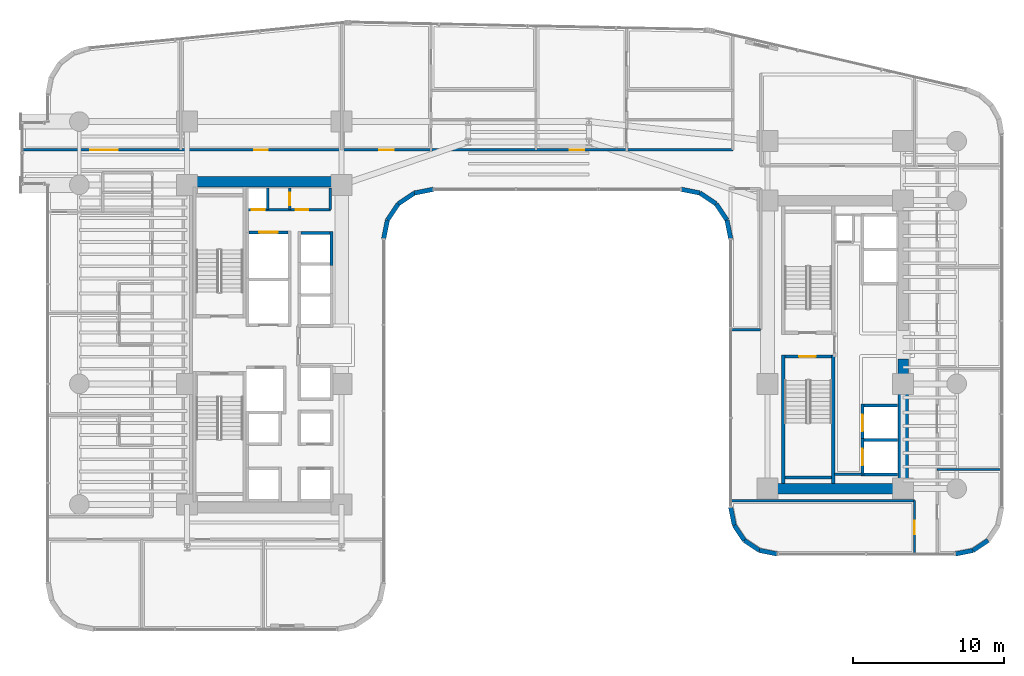
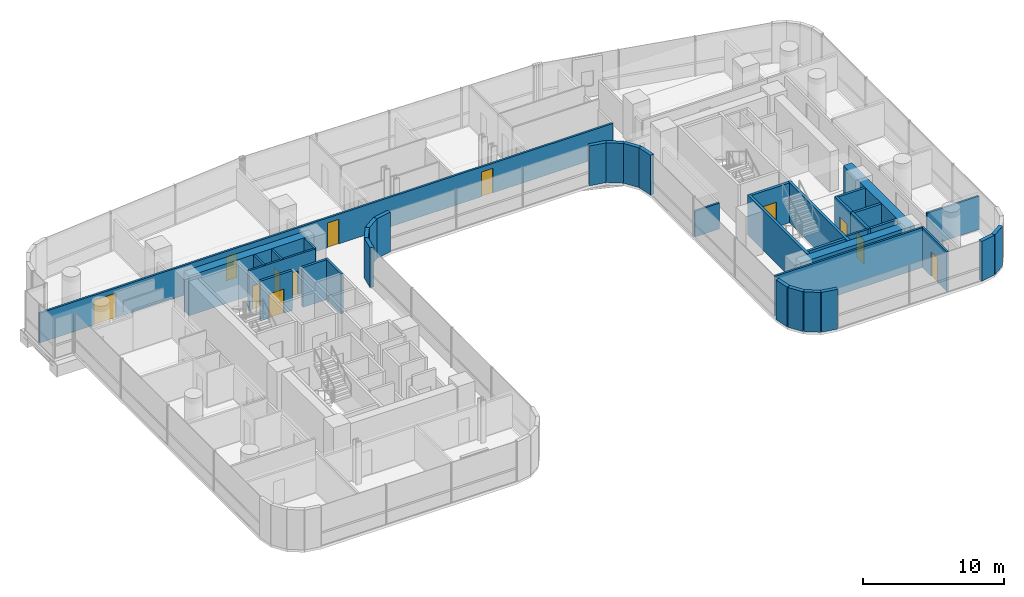
# One storey, part 33 of 41: 39 walls, 12 doors, 12 openings.
"""IFC4 building model written with IfcOpenShell, lengths in metres."""

from ifc_helpers import new_model, si_unit, direction, frame, frame_2d, origin, place, context, subcontext, project, spatial, rectangle, extrude, material, layer, layer_set, type_object, element, fill, save


model = new_model("IFC4")

# Units and contexts
model_context = context("Model", 3, precision=1e-05, world=origin(), true_north=direction((0.0, 1.0)))
body_context = subcontext(model_context, "Body", "Model", "MODEL_VIEW")
ifc_project = project(units=[si_unit("LENGTHUNIT", "METRE"), si_unit("AREAUNIT", "SQUARE_METRE"), si_unit("VOLUMEUNIT", "CUBIC_METRE"), si_unit("PLANEANGLEUNIT", "RADIAN"), si_unit("MASSUNIT", "GRAM", prefix="KILO")], contexts=[model_context])

# Site, building, storey
site_placement = place(None, origin())
site = spatial("IfcSite", under=ifc_project, at=site_placement, CompositionType="ELEMENT")
building_placement = place(site_placement, origin())
building = spatial("IfcBuilding", under=site, at=building_placement, Name="Valdorenza Pilgrim Sanctuary Tower", CompositionType="ELEMENT")
storey_placement = place(building_placement, frame((0.0, 0.0, 88.89990234375)))
storey = spatial("IfcBuildingStorey", under=building, at=storey_placement, Name="L22", CompositionType="ELEMENT", Elevation=88.89990234375)

# Wall, openings, doors
ifc_material_1 = material(Name="Acoustic twin-stud gypsum partition", Category="gypsum")
ifc_layer_1 = layer(ifc_material_1, 0.159912109375, Name="Acoustic twin-stud gypsum partition")
ifc_layer_set_1 = layer_set([ifc_layer_1], Name="Acoustic twin-stud gypsum partition")
wall_type_1 = type_object("IfcWallType", Name="WAL-COR-160", PredefinedType="PARTITIONING", material=ifc_layer_set_1)
wall_1_placement = place(storey_placement, frame((-18.64990234375, 8.949951171875, 0.0), z_axis=(0.0, 0.0, 1.0), x_axis=(1.0, 0.0, 0.0)))
wall_1 = element("IfcWall", 1, at=wall_1_placement, inside=storey, type_object=wall_type_1, Name="L22 Core A North Service South Wall", PredefinedType="PARTITIONING", context=body_context, shape_type="SweptSolid", body=[
    extrude(rectangle(XDim=5.5, YDim=0.159912109375, at=frame_2d((2.75, 0.0))), origin(), (0.0, 0.0, 1.0), 3.460205078125),
])
opening_1_placement = place(wall_1_placement, frame((0.300048828125, 0.0, 0.0)))
opening_1 = element("IfcOpeningElement", 2, at=opening_1_placement, cuts=wall_1, Name="Opening DR-RS1", PredefinedType="OPENING", context=body_context, shape_type="SweptSolid", body=[
    extrude(rectangle(XDim=0.85009765625, YDim=2.050048828125, at=frame_2d((0.425048828125, 1.02490234375))), frame((0.0, 0.0947265625, 0.0), z_axis=(0.0, -1.0, 0.0), x_axis=(1.0, 0.0, 0.0)), (0.0, 0.0, 1.0), 0.189697265625),
])
opening_2_placement = place(wall_1_placement, frame((3.199951171875, 0.0, 0.0)))
opening_2 = element("IfcOpeningElement", 3, at=opening_2_placement, cuts=wall_1, Name="Opening DR-RS1", PredefinedType="OPENING", context=body_context, shape_type="SweptSolid", body=[
    extrude(rectangle(XDim=0.85009765625, YDim=2.050048828125, at=frame_2d((0.425048828125, 1.02490234375))), frame((0.0, 0.0947265625, 0.0), z_axis=(0.0, -1.0, 0.0), x_axis=(1.0, 0.0, 0.0)), (0.0, 0.0, 1.0), 0.189697265625),
])
ifc_material_2 = material(Name="Painted galvanized steel", Category="steel")
door_type_1 = type_object("IfcDoorType", Name="DR-RSR-850", OperationType="NOTDEFINED", PredefinedType="DOOR", material=ifc_material_2)
door_1_placement = place(opening_1_placement, origin())
door_1 = element("IfcDoor", 4, at=door_1_placement, inside=storey, type_object=door_type_1, Name="L22 Core Electrical and Telecom Riser Door", OperationType="SINGLE_SWING_LEFT", OverallHeight=2.050048828125, OverallWidth=0.85009765625, PredefinedType="DOOR", context=body_context, shape_type="SweptSolid", body=[
    extrude(rectangle(XDim=0.85009765625, YDim=2.050048828125, at=frame_2d((0.425048828125, 1.02490234375))), frame((0.0, 0.02490234375, 0.0), z_axis=(0.0, -1.0, 0.0), x_axis=(1.0, 0.0, 0.0)), (0.0, 0.0, 1.0), 0.050048828125),
])
fill(opening_1, door_1)
door_2_placement = place(opening_2_placement, origin())
door_2 = element("IfcDoor", 5, at=door_2_placement, inside=storey, type_object=door_type_1, Name="L22 Housekeeping and Clean Linen Room Door", OperationType="SINGLE_SWING_RIGHT", OverallHeight=2.050048828125, OverallWidth=0.85009765625, PredefinedType="DOOR", context=body_context, shape_type="SweptSolid", body=[
    extrude(rectangle(XDim=0.85009765625, YDim=2.050048828125, at=frame_2d((0.425048828125, 1.02490234375))), frame((0.0, 0.02490234375, 0.0), z_axis=(0.0, -1.0, 0.0), x_axis=(1.0, 0.0, 0.0)), (0.0, 0.0, 1.0), 0.050048828125),
])
fill(opening_2, door_2)

# Walls
for number, where, z_axis, x_axis, name in (
    (6, (-13.14990234375, 8.949951171875, 0.0), (0.0, 0.0, 1.0), (0.0, 1.0, 0.0), "L22 Core A North Service East Wall"),
    (7, (-17.300048828125, 8.949951171875, 0.0), (0.0, 0.0, 1.0), (0.0, 1.0, 0.0), "L22 Core Electrical Riser Wall"),
):
    element("IfcWall", number, at=place(storey_placement, frame(where, z_axis=z_axis, x_axis=x_axis)), inside=storey, type_object=wall_type_1, Name=name, PredefinedType="PARTITIONING", context=body_context, shape_type="SweptSolid", body=[
        extrude(rectangle(XDim=1.429931640625, YDim=0.159912109375, at=frame_2d((0.71484375, 0.0))), origin(), (0.0, 0.0, 1.0), 3.460205078125),
    ])

# Wall, opening, door
wall_2_placement = place(storey_placement, frame((-15.85009765625, 8.949951171875, 0.0), z_axis=(0.0, 0.0, 1.0), x_axis=(0.0, 1.0, 0.0)))
wall_2 = element("IfcWall", 8, at=wall_2_placement, inside=storey, type_object=wall_type_1, Name="L22 Core A Split C", PredefinedType="PARTITIONING", context=body_context, shape_type="SweptSolid", body=[
    extrude(rectangle(XDim=1.429931640625, YDim=0.159912109375, at=frame_2d((0.71484375, 0.0))), origin(), (0.0, 0.0, 1.0), 3.460205078125),
])
opening_3_placement = place(wall_2_placement, frame((0.2900390625, 0.0, 0.0)))
opening_3 = element("IfcOpeningElement", 9, at=opening_3_placement, cuts=wall_2, Name="Opening DR-RS1", PredefinedType="OPENING", context=body_context, shape_type="SweptSolid", body=[
    extrude(rectangle(XDim=0.85009765625, YDim=2.050048828125, at=frame_2d((0.425048828125, 1.02490234375))), frame((0.0, 0.0947265625, 0.0), z_axis=(0.0, -1.0, 0.0), x_axis=(1.0, 0.0, 0.0)), (0.0, 0.0, 1.0), 0.189697265625),
])
door_3_placement = place(opening_3_placement, origin())
door_3 = element("IfcDoor", 10, at=door_3_placement, inside=storey, type_object=door_type_1, Name="L22 Clean Linen Supply Store Door", OperationType="SINGLE_SWING_LEFT", OverallHeight=2.050048828125, OverallWidth=0.85009765625, PredefinedType="DOOR", context=body_context, shape_type="SweptSolid", body=[
    extrude(rectangle(XDim=0.85009765625, YDim=2.050048828125, at=frame_2d((0.425048828125, 1.02490234375))), frame((0.0, 0.02490234375, 0.0), z_axis=(0.0, -1.0, 0.0), x_axis=(1.0, 0.0, 0.0)), (0.0, 0.0, 1.0), 0.050048828125),
])
fill(opening_3, door_3)

# Wall
wall_3_placement = place(storey_placement, frame((20.300048828125, -8.60009765625, 0.0), z_axis=(0.0, 0.0, 1.0), x_axis=(1.0, 0.0, 0.0)))
element("IfcWall", 11, at=wall_3_placement, inside=storey, type_object=wall_type_1, Name="L22 Core B Lift Hall South End Wall", PredefinedType="PARTITIONING", context=body_context, shape_type="SweptSolid", body=[
    extrude(rectangle(XDim=1.820068359375, YDim=0.159912109375, at=frame_2d((0.91015625, 0.0))), origin(), (0.0, 0.0, 1.0), 3.460205078125),
])

# Wall, openings, doors
wall_4_placement = place(storey_placement, frame((-33.5400390625, 12.919921875, 0.0), z_axis=(0.0, 0.0, 1.0), x_axis=(1.0, 0.0, 0.0)))
wall_4 = element("IfcWall", 12, at=wall_4_placement, inside=storey, type_object=wall_type_1, Name="L22 North Corridor Wall", PredefinedType="PARTITIONING", context=body_context, shape_type="SweptSolid", body=[
    extrude(rectangle(XDim=47.090087890625, YDim=0.159912109375, at=frame_2d((23.544921875, 0.0))), origin(), (0.0, 0.0, 1.0), 2.5830078125),
])
opening_4_placement = place(wall_4_placement, frame((4.47998046875, 0.0, 0.0)))
opening_4 = element("IfcOpeningElement", 13, at=opening_4_placement, cuts=wall_4, Name="Opening DR-HL1", PredefinedType="OPENING", context=body_context, shape_type="SweptSolid", body=[
    extrude(rectangle(XDim=1.800048828125, YDim=2.14990234375, at=frame_2d((0.89990234375, 1.074951171875))), frame((0.0, 0.0947265625, 0.0), z_axis=(0.0, -1.0, 0.0), x_axis=(1.0, 0.0, 0.0)), (0.0, 0.0, 1.0), 0.189697265625),
])
opening_5_placement = place(wall_4_placement, frame((15.35498046875, 0.0, 0.0)))
opening_5 = element("IfcOpeningElement", 14, at=opening_5_placement, cuts=wall_4, Name="Opening DR-RM1", PredefinedType="OPENING", context=body_context, shape_type="SweptSolid", body=[
    extrude(rectangle(XDim=0.89990234375, YDim=2.10009765625, at=frame_2d((0.449951171875, 1.050048828125))), frame((0.0, 0.0947265625, 0.0), z_axis=(0.0, -1.0, 0.0), x_axis=(1.0, 0.0, 0.0)), (0.0, 0.0, 1.0), 0.189697265625),
])
opening_6_placement = place(wall_4_placement, frame((23.632080078125, 0.0, 0.0)))
opening_6 = element("IfcOpeningElement", 15, at=opening_6_placement, cuts=wall_4, Name="Opening DR-UN1", PredefinedType="OPENING", context=body_context, shape_type="SweptSolid", body=[
    extrude(rectangle(XDim=0.949951171875, YDim=2.14990234375, at=frame_2d((0.47509765625, 1.074951171875))), frame((0.0, 0.0947265625, 0.0), z_axis=(0.0, -1.0, 0.0), x_axis=(1.0, 0.0, 0.0)), (0.0, 0.0, 1.0), 0.189697265625),
])
opening_7_placement = place(wall_4_placement, frame((36.280029296875, 0.0, 0.0)))
opening_7 = element("IfcOpeningElement", 16, at=opening_7_placement, cuts=wall_4, Name="Opening DR-UN1", PredefinedType="OPENING", context=body_context, shape_type="SweptSolid", body=[
    extrude(rectangle(XDim=0.949951171875, YDim=2.14990234375, at=frame_2d((0.47509765625, 1.074951171875))), frame((0.0, 0.0947265625, 0.0), z_axis=(0.0, -1.0, 0.0), x_axis=(1.0, 0.0, 0.0)), (0.0, 0.0, 1.0), 0.189697265625),
])
ifc_material_3 = material(Name="Acoustic oak and vision-glass double door", Category="glass")
door_type_2 = type_object("IfcDoorType", Name="DR-HALL-1800", OperationType="NOTDEFINED", PredefinedType="DOOR", material=ifc_material_3)
door_4_placement = place(opening_4_placement, origin())
door_4 = element("IfcDoor", 17, at=door_4_placement, inside=storey, type_object=door_type_2, Name="L22 Sacred Art Exhibition Gallery L22-N1 Door", OperationType="DOUBLE_DOOR_SINGLE_SWING", OverallHeight=2.14990234375, OverallWidth=1.800048828125, PredefinedType="DOOR", context=body_context, shape_type="SweptSolid", body=[
    extrude(rectangle(XDim=1.800048828125, YDim=2.14990234375, at=frame_2d((0.89990234375, 1.074951171875))), frame((0.0, 0.02490234375, 0.0), z_axis=(0.0, -1.0, 0.0), x_axis=(1.0, 0.0, 0.0)), (0.0, 0.0, 1.0), 0.050048828125),
])
fill(opening_4, door_4)
ifc_material_4 = material(Name="Solid-core European oak timber", Category="wood")
door_type_3 = type_object("IfcDoorType", Name="DR-ROOM-900", OperationType="NOTDEFINED", PredefinedType="DOOR", material=ifc_material_4)
door_5_placement = place(opening_5_placement, frame((0.89990234375, 0.0, 0.0), z_axis=(0.0, 0.0, 1.0), x_axis=(-1.0, 0.0, 0.0)))
door_5 = element("IfcDoor", 18, at=door_5_placement, inside=storey, type_object=door_type_3, Name="L22 Sacred Manuscript Archive L22-N2 Door", OperationType="SINGLE_SWING_LEFT", OverallHeight=2.10009765625, OverallWidth=0.89990234375, PredefinedType="DOOR", context=body_context, shape_type="SweptSolid", body=[
    extrude(rectangle(XDim=0.89990234375, YDim=2.10009765625, at=frame_2d((0.449951171875, 1.050048828125))), frame((0.0, 0.02490234375, 0.0), z_axis=(0.0, -1.0, 0.0), x_axis=(1.0, 0.0, 0.0)), (0.0, 0.0, 1.0), 0.050048828125),
])
fill(opening_5, door_5)
door_type_4 = type_object("IfcDoorType", Name="DR-UNIT-950", OperationType="NOTDEFINED", PredefinedType="DOOR", material=ifc_material_4)
door_6_placement = place(opening_6_placement, origin())
door_6 = element("IfcDoor", 19, at=door_6_placement, inside=storey, type_object=door_type_4, Name="L22 North Sanctuary Apartment L22-N3 Entrance Door", OperationType="SINGLE_SWING_RIGHT", OverallHeight=2.14990234375, OverallWidth=0.949951171875, PredefinedType="DOOR", context=body_context, shape_type="SweptSolid", body=[
    extrude(rectangle(XDim=0.949951171875, YDim=2.14990234375, at=frame_2d((0.47509765625, 1.074951171875))), frame((0.0, 0.02490234375, 0.0), z_axis=(0.0, -1.0, 0.0), x_axis=(1.0, 0.0, 0.0)), (0.0, 0.0, 1.0), 0.050048828125),
])
fill(opening_6, door_6)
door_7_placement = place(opening_7_placement, origin())
door_7 = element("IfcDoor", 20, at=door_7_placement, inside=storey, type_object=door_type_4, Name="L22 North Sanctuary Apartment L22-N4 Entrance Door", OperationType="SINGLE_SWING_RIGHT", OverallHeight=2.14990234375, OverallWidth=0.949951171875, PredefinedType="DOOR", context=body_context, shape_type="SweptSolid", body=[
    extrude(rectangle(XDim=0.949951171875, YDim=2.14990234375, at=frame_2d((0.47509765625, 1.074951171875))), frame((0.0, 0.02490234375, 0.0), z_axis=(0.0, -1.0, 0.0), x_axis=(1.0, 0.0, 0.0)), (0.0, 0.0, 1.0), 0.050048828125),
])
fill(opening_7, door_7)

# Wall, opening, door
wall_5_placement = place(storey_placement, frame((25.60009765625, -13.889892578125, 0.0), z_axis=(0.0, 0.0, 1.0), x_axis=(0.0, 1.0, 0.0)))
wall_5 = element("IfcWall", 21, at=wall_5_placement, inside=storey, type_object=wall_type_1, Name="L22 Wing B South-East Corridor Wall", PredefinedType="PARTITIONING", context=body_context, shape_type="SweptSolid", body=[
    extrude(rectangle(XDim=3.539794921875, YDim=0.159912109375, at=frame_2d((1.77001953125, 0.0))), origin(), (0.0, 0.0, 1.0), 3.460205078125),
])
opening_8_placement = place(wall_5_placement, frame((1.320068359375, 0.0, 0.0)))
opening_8 = element("IfcOpeningElement", 22, at=opening_8_placement, cuts=wall_5, Name="Opening DR-RM1", PredefinedType="OPENING", context=body_context, shape_type="SweptSolid", body=[
    extrude(rectangle(XDim=0.89990234375, YDim=2.10009765625, at=frame_2d((0.449951171875, 1.050048828125))), frame((0.0, 0.0947265625, 0.0), z_axis=(0.0, -1.0, 0.0), x_axis=(1.0, 0.0, 0.0)), (0.0, 0.0, 1.0), 0.189697265625),
])
door_8_placement = place(opening_8_placement, frame((0.89990234375, 0.0, 0.0), z_axis=(0.0, 0.0, 1.0), x_axis=(-1.0, 0.0, 0.0)))
door_8 = element("IfcDoor", 23, at=door_8_placement, inside=storey, type_object=door_type_3, Name="L22 Theological Reference Library L22-BS Door", OperationType="SINGLE_SWING_LEFT", OverallHeight=2.10009765625, OverallWidth=0.89990234375, PredefinedType="DOOR", context=body_context, shape_type="SweptSolid", body=[
    extrude(rectangle(XDim=0.89990234375, YDim=2.10009765625, at=frame_2d((0.449951171875, 1.050048828125))), frame((0.0, 0.02490234375, 0.0), z_axis=(0.0, -1.0, 0.0), x_axis=(1.0, 0.0, 0.0)), (0.0, 0.0, 1.0), 0.050048828125),
])
fill(opening_8, door_8)

# Walls
wall_6_placement = place(storey_placement, frame((13.409912109375, -10.35009765625, 0.0), z_axis=(0.0, 0.0, 1.0), x_axis=(1.0, 0.0, 0.0)))
element("IfcWall", 24, at=wall_6_placement, inside=storey, type_object=wall_type_1, Name="L22 Wing B South North Wall", PredefinedType="PARTITIONING", context=body_context, shape_type="SweptSolid", body=[
    extrude(rectangle(XDim=12.190185546875, YDim=0.159912109375, at=frame_2d((6.09521484375, 0.0))), origin(), (0.0, 0.0, 1.0), 3.460205078125),
])
wall_7_placement = place(storey_placement, frame((13.409912109375, 1.0, 0.0), z_axis=(0.0, 0.0, 1.0), x_axis=(1.0, 0.0, 0.0)))
element("IfcWall", 25, at=wall_7_placement, inside=storey, type_object=wall_type_1, Name="L22 Courtyard Overlook South Wall", PredefinedType="PARTITIONING", context=body_context, shape_type="SweptSolid", body=[
    extrude(rectangle(XDim=1.989990234375, YDim=0.159912109375, at=frame_2d((0.9951171875, 0.0))), origin(), (0.0, 0.0, 1.0), 2.2451171875),
])
ifc_material_5 = material(Name="Concrete C60/75", Category="concrete")
ifc_layer_2 = layer(ifc_material_5, 0.699951171875, Name="Concrete C60/75")
ifc_layer_set_2 = layer_set([ifc_layer_2], Name="Concrete C60/75")
wall_type_2 = type_object("IfcWallType", Name="WAL-COR-700", PredefinedType="SHEAR", material=ifc_layer_set_2)
wall_8_placement = place(storey_placement, frame((-22.64990234375, 10.800048828125, 0.0), z_axis=(0.0, 0.0, 1.0), x_axis=(1.0, 0.0, 0.0)))
element("IfcWall", 26, at=wall_8_placement, inside=storey, type_object=wall_type_2, Name="L22 Split Core A Shear Wall N", PredefinedType="SHEAR", context=body_context, shape_type="SweptSolid", body=[
    extrude(rectangle(XDim=10.25, YDim=0.699951171875, at=frame_2d((5.125, 0.0))), origin(), (0.0, 0.0, 1.0), 3.460205078125),
])
wall_9_placement = place(storey_placement, frame((24.85009765625, -9.89990234375, 0.0), z_axis=(0.0, 0.0, 1.0), x_axis=(0.0, 1.0, 0.0)))
element("IfcWall", 27, at=wall_9_placement, inside=storey, type_object=wall_type_2, Name="L22 Split Core B Shear Wall ES", PredefinedType="SHEAR", context=body_context, shape_type="SweptSolid", body=[
    extrude(rectangle(XDim=8.949951171875, YDim=0.699951171875, at=frame_2d((4.47509765625, 0.0))), origin(), (0.0, 0.0, 1.0), 3.460205078125),
])
wall_10_placement = place(storey_placement, frame((15.85009765625, -9.550048828125, 0.0), z_axis=(0.0, 0.0, 1.0), x_axis=(1.0, 0.0, 0.0)))
element("IfcWall", 28, at=wall_10_placement, inside=storey, type_object=wall_type_2, Name="L22 Split Core B Shear Wall S", PredefinedType="SHEAR", context=body_context, shape_type="SweptSolid", body=[
    extrude(rectangle(XDim=9.0, YDim=0.699951171875, at=frame_2d((4.5, 0.0))), origin(), (0.0, 0.0, 1.0), 3.460205078125),
])
ifc_material_6 = material(Name="Honed travertine limestone", Category="masonry")
ifc_layer_3 = layer(ifc_material_6, 0.300048828125, Name="Honed travertine limestone")
ifc_layer_set_3 = layer_set([ifc_layer_3], Name="Honed travertine limestone")
wall_type_3 = type_object("IfcWallType", Name="WAL-EXT-300", PredefinedType="SOLIDWALL", material=ifc_layer_set_3)
wall_11_placement = place(storey_placement, frame((30.4833984375, -12.9833984375, 0.0), z_axis=(0.0, 0.0, 1.0), x_axis=(-0.831426265255, -0.555635100982, 0.0)))
element("IfcWall", 29, at=wall_11_placement, inside=storey, type_object=wall_type_3, Name="L22 Rounded Wind-Corner Stone Pier 24", PredefinedType="SOLIDWALL", context=body_context, shape_type="SweptSolid", body=[
    extrude(rectangle(XDim=1.204833984375, YDim=0.300048828125, at=frame_2d((0.6025390625, 0.0))), origin(), (0.0, 0.0, 1.0), 3.460205078125),
])
for number, where, z_axis, x_axis, name in (
    (30, (29.481689453125, -13.65283203125, 0.0), (0.0, 0.0, 1.0), (-0.980804027463, -0.194996050505, 0.0), "L22 Rounded Wind-Corner Stone Pier 25"),
    (31, (16.5107421875, -13.889892578125, 0.0), (0.0, 0.0, 1.0), (-0.980804027463, 0.194996050505, 0.0), "L22 Rounded Wind-Corner Stone Pier 27"),
):
    element("IfcWall", number, at=place(storey_placement, frame(where, z_axis=z_axis, x_axis=x_axis)), inside=storey, type_object=wall_type_3, Name=name, PredefinedType="SOLIDWALL", context=body_context, shape_type="SweptSolid", body=[
        extrude(rectangle(XDim=1.2158203125, YDim=0.300048828125, at=frame_2d((0.60791015625, 0.0))), origin(), (0.0, 0.0, 1.0), 3.460205078125),
    ])
for number, where, z_axis, x_axis, name in (
    (32, (15.318359375, -13.65283203125, 0.0), (0.0, 0.0, 1.0), (-0.831426265255, 0.555635100982, 0.0), "L22 Rounded Wind-Corner Stone Pier 28"),
    (33, (14.316650390625, -12.9833984375, 0.0), (0.0, 0.0, 1.0), (-0.555635100982, 0.831426265255, 0.0), "L22 Rounded Wind-Corner Stone Pier 29"),
):
    element("IfcWall", number, at=place(storey_placement, frame(where, z_axis=z_axis, x_axis=x_axis)), inside=storey, type_object=wall_type_3, Name=name, PredefinedType="SOLIDWALL", context=body_context, shape_type="SweptSolid", body=[
        extrude(rectangle(XDim=1.204833984375, YDim=0.300048828125, at=frame_2d((0.6025390625, 0.0))), origin(), (0.0, 0.0, 1.0), 3.460205078125),
    ])
wall_12_placement = place(storey_placement, frame((13.647216796875, -11.981689453125, 0.0), z_axis=(0.0, 0.0, 1.0), x_axis=(-0.195189223115, 0.980765602568, 0.0)))
element("IfcWall", 34, at=wall_12_placement, inside=storey, type_object=wall_type_3, Name="L22 Rounded Wind-Corner Stone Pier 30", PredefinedType="SOLIDWALL", context=body_context, shape_type="SweptSolid", body=[
    extrude(rectangle(XDim=1.2158203125, YDim=0.300048828125, at=frame_2d((0.60791015625, 0.0))), origin(), (0.0, 0.0, 1.0), 3.460205078125),
])
wall_13_placement = place(storey_placement, frame((13.409912109375, 7.0107421875, 0.0), z_axis=(0.0, 0.0, 1.0), x_axis=(-0.195090163074, 0.980785312019, 0.0)))
element("IfcWall", 35, at=wall_13_placement, inside=storey, type_object=wall_type_3, Name="L22 Rounded Wind-Corner Stone Pier 32", PredefinedType="SOLIDWALL", context=body_context, shape_type="SweptSolid", body=[
    extrude(rectangle(XDim=1.281494140625, YDim=0.300048828125, at=frame_2d((0.640625, 0.0))), origin(), (0.0, 0.0, 1.0), 3.460205078125),
])
for number, where, z_axis, x_axis, name in (
    (36, (13.159912109375, 8.267578125, 0.0), (0.0, 0.0, 1.0), (-0.555615398575, 0.831439431869, 0.0), "L22 Rounded Wind-Corner Stone Pier 33"),
    (37, (12.44189453125, 9.342041015625, 0.0), (0.0, 0.0, 1.0), (-0.831439431869, 0.555615398575, 0.0), "L22 Rounded Wind-Corner Stone Pier 34"),
):
    element("IfcWall", number, at=place(storey_placement, frame(where, z_axis=z_axis, x_axis=x_axis)), inside=storey, type_object=wall_type_3, Name=name, PredefinedType="SOLIDWALL", context=body_context, shape_type="SweptSolid", body=[
        extrude(rectangle(XDim=1.292236328125, YDim=0.300048828125, at=frame_2d((0.64599609375, 0.0))), origin(), (0.0, 0.0, 1.0), 3.460205078125),
    ])
for number, where, z_axis, x_axis, name in (
    (38, (11.367431640625, 10.06005859375, 0.0), (0.0, 0.0, 1.0), (-0.980778058848, 0.195126623715, 0.0), "L22 Rounded Wind-Corner Stone Pier 35"),
    (39, (-6.310791015625, 10.31005859375, 0.0), (0.0, 0.0, 1.0), (-0.980778058848, -0.195126623715, 0.0), "L22 Rounded Wind-Corner Stone Pier 37"),
):
    element("IfcWall", number, at=place(storey_placement, frame(where, z_axis=z_axis, x_axis=x_axis)), inside=storey, type_object=wall_type_3, Name=name, PredefinedType="SOLIDWALL", context=body_context, shape_type="SweptSolid", body=[
        extrude(rectangle(XDim=1.28125, YDim=0.300048828125, at=frame_2d((0.640625, 0.0))), origin(), (0.0, 0.0, 1.0), 3.460205078125),
    ])
wall_14_placement = place(storey_placement, frame((-7.5673828125, 10.06005859375, 0.0), z_axis=(0.0, 0.0, 1.0), x_axis=(-0.831497739511, -0.555528135371, 0.0)))
element("IfcWall", 40, at=wall_14_placement, inside=storey, type_object=wall_type_3, Name="L22 Rounded Wind-Corner Stone Pier 38", PredefinedType="SOLIDWALL", context=body_context, shape_type="SweptSolid", body=[
    extrude(rectangle(XDim=1.29248046875, YDim=0.300048828125, at=frame_2d((0.646240234375, 0.0))), origin(), (0.0, 0.0, 1.0), 3.460205078125),
])
wall_15_placement = place(storey_placement, frame((-8.64208984375, 9.342041015625, 0.0), z_axis=(0.0, 0.0, 1.0), x_axis=(-0.555615398575, -0.831439431869, 0.0)))
element("IfcWall", 41, at=wall_15_placement, inside=storey, type_object=wall_type_3, Name="L22 Rounded Wind-Corner Stone Pier 39", PredefinedType="SOLIDWALL", context=body_context, shape_type="SweptSolid", body=[
    extrude(rectangle(XDim=1.292236328125, YDim=0.300048828125, at=frame_2d((0.64599609375, 0.0))), origin(), (0.0, 0.0, 1.0), 3.460205078125),
])
wall_16_placement = place(storey_placement, frame((-9.360107421875, 8.267578125, 0.0), z_axis=(0.0, 0.0, 1.0), x_axis=(-0.195090163074, -0.980785312019, 0.0)))
element("IfcWall", 42, at=wall_16_placement, inside=storey, type_object=wall_type_3, Name="L22 Rounded Wind-Corner Stone Pier 40", PredefinedType="SOLIDWALL", context=body_context, shape_type="SweptSolid", body=[
    extrude(rectangle(XDim=1.281494140625, YDim=0.300048828125, at=frame_2d((0.640625, 0.0))), origin(), (0.0, 0.0, 1.0), 3.460205078125),
])

# Wall, opening, door
ifc_material_7 = material(Name="Autoclaved aerated concrete blockwork", Category="masonry")
ifc_layer_4 = layer(ifc_material_7, 0.199951171875, Name="Autoclaved aerated concrete blockwork")
ifc_layer_set_4 = layer_set([ifc_layer_4], Name="Autoclaved aerated concrete blockwork")
wall_type_4 = type_object("IfcWallType", Name="WAL-SHF-200", PredefinedType="MOVABLE", material=ifc_layer_set_4)
wall_17_placement = place(storey_placement, frame((-18.550048828125, 7.449951171875, 0.0), z_axis=(0.0, 0.0, 1.0), x_axis=(1.0, 0.0, 0.0)))
wall_17 = element("IfcWall", 43, at=wall_17_placement, inside=storey, type_object=wall_type_4, Name="L22 Lift SVL-01 Hoistway Wall North", PredefinedType="MOVABLE", context=body_context, shape_type="SweptSolid", body=[
    extrude(rectangle(XDim=2.60009765625, YDim=0.199951171875, at=frame_2d((1.300048828125, 0.0))), origin(), (0.0, 0.0, 1.0), 3.460205078125),
])
opening_9_placement = place(wall_17_placement, frame((0.699951171875, 0.0, 0.0)))
opening_9 = element("IfcOpeningElement", 44, at=opening_9_placement, cuts=wall_17, Name="Opening LD-02", PredefinedType="OPENING", context=body_context, shape_type="SweptSolid", body=[
    extrude(rectangle(XDim=1.199951171875, YDim=2.10009765625, at=frame_2d((0.60009765625, 1.050048828125))), frame((0.0, 0.11474609375, 0.0), z_axis=(0.0, -1.0, 0.0), x_axis=(1.0, 0.0, 0.0)), (0.0, 0.0, 1.0), 0.229736328125),
])
ifc_material_8 = material(Name="Brushed stainless steel Grade 316", Category="steel")
door_type_5 = type_object("IfcDoorType", Name="DR-LFT-1200", OperationType="DOUBLE_DOOR_SLIDING", PredefinedType="DOOR", material=ifc_material_8)
door_9_placement = place(opening_9_placement, origin())
door_9 = element("IfcDoor", 45, at=door_9_placement, inside=storey, type_object=door_type_5, Name="L22 Lift SVL-01 Sliding Landing Door", OperationType="DOUBLE_DOOR_SLIDING", OverallHeight=2.10009765625, OverallWidth=1.199951171875, PredefinedType="DOOR", context=body_context, shape_type="SweptSolid", body=[
    extrude(rectangle(XDim=1.199951171875, YDim=2.10009765625, at=frame_2d((0.60009765625, 1.050048828125))), frame((0.0, 0.02490234375, 0.0), z_axis=(0.0, -1.0, 0.0), x_axis=(1.0, 0.0, 0.0)), (0.0, 0.0, 1.0), 0.050048828125),
])
fill(opening_9, door_9)

wall_18_placement = place(storey_placement, frame((22.14990234375, -8.699951171875, 0.0), z_axis=(0.0, 0.0, 1.0), x_axis=(0.0, 1.0, 0.0)))
wall_18 = element("IfcWall", 46, at=wall_18_placement, inside=storey, type_object=wall_type_4, Name="L22 Lift PL-03 Hoistway Wall West", PredefinedType="MOVABLE", context=body_context, shape_type="SweptSolid", body=[
    extrude(rectangle(XDim=2.474853515625, YDim=0.199951171875, at=frame_2d((1.2373046875, 0.0))), origin(), (0.0, 0.0, 1.0), 3.460205078125),
])
opening_10_placement = place(wall_18_placement, frame((0.6875, 0.0, 0.0)))
opening_10 = element("IfcOpeningElement", 47, at=opening_10_placement, cuts=wall_18, Name="Opening LD-01", PredefinedType="OPENING", context=body_context, shape_type="SweptSolid", body=[
    extrude(rectangle(XDim=1.10009765625, YDim=2.10009765625, at=frame_2d((0.550048828125, 1.050048828125))), frame((0.0, 0.11474609375, 0.0), z_axis=(0.0, -1.0, 0.0), x_axis=(1.0, 0.0, 0.0)), (0.0, 0.0, 1.0), 0.229736328125),
])
door_type_6 = type_object("IfcDoorType", Name="DR-LFT-1100", OperationType="DOUBLE_DOOR_SLIDING", PredefinedType="DOOR", material=ifc_material_8)
door_10_placement = place(opening_10_placement, origin())
door_10 = element("IfcDoor", 48, at=door_10_placement, inside=storey, type_object=door_type_6, Name="L22 Lift PL-03 Sliding Landing Door", OperationType="DOUBLE_DOOR_SLIDING", OverallHeight=2.10009765625, OverallWidth=1.10009765625, PredefinedType="DOOR", context=body_context, shape_type="SweptSolid", body=[
    extrude(rectangle(XDim=1.10009765625, YDim=2.10009765625, at=frame_2d((0.550048828125, 1.050048828125))), frame((0.0, 0.02490234375, 0.0), z_axis=(0.0, -1.0, 0.0), x_axis=(1.0, 0.0, 0.0)), (0.0, 0.0, 1.0), 0.050048828125),
])
fill(opening_10, door_10)

# Walls
for number, where, z_axis, x_axis, name in (
    (49, (22.25, -8.60009765625, 0.0), (0.0, 0.0, 1.0), (1.0, 0.0, 0.0), "L22 Lift PL-03 Hoistway Wall South"),
    (50, (22.25, -6.324951171875, 0.0), (0.0, 0.0, 1.0), (1.0, 0.0, 0.0), "L22 Lift PL-03 Hoistway Wall North"),
):
    element("IfcWall", number, at=place(storey_placement, frame(where, z_axis=z_axis, x_axis=x_axis)), inside=storey, type_object=wall_type_4, Name=name, PredefinedType="MOVABLE", context=body_context, shape_type="SweptSolid", body=[
        extrude(rectangle(XDim=2.22998046875, YDim=0.199951171875, at=frame_2d((1.114990234375, 0.0))), origin(), (0.0, 0.0, 1.0), 3.460205078125),
    ])

# Wall, opening, door
wall_19_placement = place(storey_placement, frame((22.14990234375, -6.425048828125, 0.0), z_axis=(0.0, 0.0, 1.0), x_axis=(0.0, 1.0, 0.0)))
wall_19 = element("IfcWall", 51, at=wall_19_placement, inside=storey, type_object=wall_type_4, Name="L22 Lift PL-04 Hoistway Wall West", PredefinedType="MOVABLE", context=body_context, shape_type="SweptSolid", body=[
    extrude(rectangle(XDim=2.47509765625, YDim=0.199951171875, at=frame_2d((1.237548828125, 0.0))), origin(), (0.0, 0.0, 1.0), 3.460205078125),
])
opening_11_placement = place(wall_19_placement, frame((0.6875, 0.0, 0.0)))
opening_11 = element("IfcOpeningElement", 52, at=opening_11_placement, cuts=wall_19, Name="Opening LD-01", PredefinedType="OPENING", context=body_context, shape_type="SweptSolid", body=[
    extrude(rectangle(XDim=1.10009765625, YDim=2.10009765625, at=frame_2d((0.550048828125, 1.050048828125))), frame((0.0, 0.11474609375, 0.0), z_axis=(0.0, -1.0, 0.0), x_axis=(1.0, 0.0, 0.0)), (0.0, 0.0, 1.0), 0.229736328125),
])
door_11_placement = place(opening_11_placement, origin())
door_11 = element("IfcDoor", 53, at=door_11_placement, inside=storey, type_object=door_type_6, Name="L22 Lift PL-04 Sliding Landing Door", OperationType="DOUBLE_DOOR_SLIDING", OverallHeight=2.10009765625, OverallWidth=1.10009765625, PredefinedType="DOOR", context=body_context, shape_type="SweptSolid", body=[
    extrude(rectangle(XDim=1.10009765625, YDim=2.10009765625, at=frame_2d((0.550048828125, 1.050048828125))), frame((0.0, 0.02490234375, 0.0), z_axis=(0.0, -1.0, 0.0), x_axis=(1.0, 0.0, 0.0)), (0.0, 0.0, 1.0), 0.050048828125),
])
fill(opening_11, door_11)

# Walls
wall_20_placement = place(storey_placement, frame((22.25, -4.050048828125, 0.0), z_axis=(0.0, 0.0, 1.0), x_axis=(1.0, 0.0, 0.0)))
element("IfcWall", 54, at=wall_20_placement, inside=storey, type_object=wall_type_4, Name="L22 Lift PL-04 Hoistway Wall North", PredefinedType="MOVABLE", context=body_context, shape_type="SweptSolid", body=[
    extrude(rectangle(XDim=2.22998046875, YDim=0.199951171875, at=frame_2d((1.114990234375, 0.0))), origin(), (0.0, 0.0, 1.0), 3.460205078125),
])
wall_21_placement = place(storey_placement, frame((-13.080078125, 5.25, 0.0), z_axis=(0.0, 0.0, 1.0), x_axis=(0.0, 1.0, 0.0)))
element("IfcWall", 55, at=wall_21_placement, inside=storey, type_object=wall_type_4, Name="L22 Lift PL-10 Hoistway Wall East", PredefinedType="MOVABLE", context=body_context, shape_type="SweptSolid", body=[
    extrude(rectangle(XDim=2.25, YDim=0.199951171875, at=frame_2d((1.125, 0.0))), origin(), (0.0, 0.0, 1.0), 3.460205078125),
])
wall_22_placement = place(storey_placement, frame((-15.10009765625, 7.39990234375, 0.0), z_axis=(0.0, 0.0, 1.0), x_axis=(1.0, 0.0, 0.0)))
element("IfcWall", 56, at=wall_22_placement, inside=storey, type_object=wall_type_4, Name="L22 Lift PL-10 Hoistway Wall North", PredefinedType="MOVABLE", context=body_context, shape_type="SweptSolid", body=[
    extrude(rectangle(XDim=1.920166015625, YDim=0.199951171875, at=frame_2d((0.9599609375, 0.0))), origin(), (0.0, 0.0, 1.0), 3.460205078125),
])
ifc_material_9 = material(Name="Concrete C40/50", Category="concrete")
ifc_layer_5 = layer(ifc_material_9, 0.219970703125, Name="Concrete C40/50")
ifc_layer_set_5 = layer_set([ifc_layer_5], Name="Concrete C40/50")
wall_type_5 = type_object("IfcWallType", Name="WAL-STR-SHF-220", PredefinedType="SHEAR", material=ifc_layer_set_5)
for number, where, z_axis, x_axis, name in (
    (57, (16.889892578125, -9.199951171875, 0.0), (0.0, 0.0, 1.0), (0.0, 1.0, 0.0), "L22 ST-B2 Structural Stairwell Wall W"),
    (58, (20.219970703125, -9.199951171875, 0.0), (0.0, 0.0, 1.0), (0.0, 1.0, 0.0), "L22 ST-B2 Structural Stairwell Wall E"),
):
    element("IfcWall", number, at=place(storey_placement, frame(where, z_axis=z_axis, x_axis=x_axis)), inside=storey, type_object=wall_type_5, Name=name, PredefinedType="SHEAR", context=body_context, shape_type="SweptSolid", body=[
        extrude(rectangle(XDim=8.52001953125, YDim=0.219970703125, at=frame_2d((4.260009765625, 0.0))), origin(), (0.0, 0.0, 1.0), 3.460205078125),
    ])
wall_23_placement = place(storey_placement, frame((17.0, -8.81005859375, 0.0), z_axis=(0.0, 0.0, 1.0), x_axis=(1.0, 0.0, 0.0)))
element("IfcWall", 59, at=wall_23_placement, inside=storey, type_object=wall_type_5, Name="L22 ST-B2 Structural Stairwell Wall S", PredefinedType="SHEAR", context=body_context, shape_type="SweptSolid", body=[
    extrude(rectangle(XDim=3.110107421875, YDim=0.219970703125, at=frame_2d((1.55517578125, 0.0))), origin(), (0.0, 0.0, 1.0), 3.460205078125),
])

# Wall, opening, door
wall_24_placement = place(storey_placement, frame((17.0, -0.7900390625, 0.0), z_axis=(0.0, 0.0, 1.0), x_axis=(1.0, 0.0, 0.0)))
wall_24 = element("IfcWall", 60, at=wall_24_placement, inside=storey, type_object=wall_type_5, Name="L22 ST-B2 Structural Stairwell Wall N", PredefinedType="SHEAR", context=body_context, shape_type="SweptSolid", body=[
    extrude(rectangle(XDim=3.110107421875, YDim=0.219970703125, at=frame_2d((1.55517578125, 0.0))), origin(), (0.0, 0.0, 1.0), 3.460205078125),
])
opening_12_placement = place(wall_24_placement, frame((0.949951171875, 0.0, 0.0)))
opening_12 = element("IfcOpeningElement", 61, at=opening_12_placement, cuts=wall_24, Name="Opening DR-ST1", PredefinedType="OPENING", context=body_context, shape_type="SweptSolid", body=[
    extrude(rectangle(XDim=1.10009765625, YDim=2.14990234375, at=frame_2d((0.550048828125, 1.074951171875))), frame((0.0, 0.125, 0.0), z_axis=(0.0, -1.0, 0.0), x_axis=(1.0, 0.0, 0.0)), (0.0, 0.0, 1.0), 0.249755859375),
])
door_type_7 = type_object("IfcDoorType", Name="DR-STAIR-1100", OperationType="NOTDEFINED", PredefinedType="DOOR", material=ifc_material_2)
door_12_placement = place(opening_12_placement, origin())
door_12 = element("IfcDoor", 62, at=door_12_placement, inside=storey, type_object=door_type_7, Name="L22 Exit Stair ST-B2 Door", OperationType="SINGLE_SWING_RIGHT", OverallHeight=2.14990234375, OverallWidth=1.10009765625, PredefinedType="DOOR", context=body_context, shape_type="SweptSolid", body=[
    extrude(rectangle(XDim=1.10009765625, YDim=2.14990234375, at=frame_2d((0.550048828125, 1.074951171875))), frame((0.0, 0.02490234375, 0.0), z_axis=(0.0, -1.0, 0.0), x_axis=(1.0, 0.0, 0.0)), (0.0, 0.0, 1.0), 0.050048828125),
])
fill(opening_12, door_12)

# Wall
ifc_layer_6 = layer(ifc_material_1, 0.14990234375, Name="Acoustic twin-stud gypsum partition")
ifc_layer_set_6 = layer_set([ifc_layer_6], Name="Acoustic twin-stud gypsum partition")
wall_type_6 = type_object("IfcWallType", Name="WAL-UNT-150", PredefinedType="PARTITIONING", material=ifc_layer_set_6)
wall_25_placement = place(storey_placement, frame((27.10009765625, -8.28759765625, 0.0), z_axis=(0.0, 0.0, 1.0), x_axis=(1.0, 0.0, 0.0)))
element("IfcWall", 63, at=wall_25_placement, inside=storey, type_object=wall_type_6, Name="L22 East Reading Lounge L22-EB2 Demising Wall", PredefinedType="PARTITIONING", context=body_context, shape_type="SweptSolid", body=[
    extrude(rectangle(XDim=4.289794921875, YDim=0.14990234375, at=frame_2d((2.14501953125, 0.0))), origin(), (0.0, 0.0, 1.0), 2.89599609375),
])

save(model, "model.ifc")
